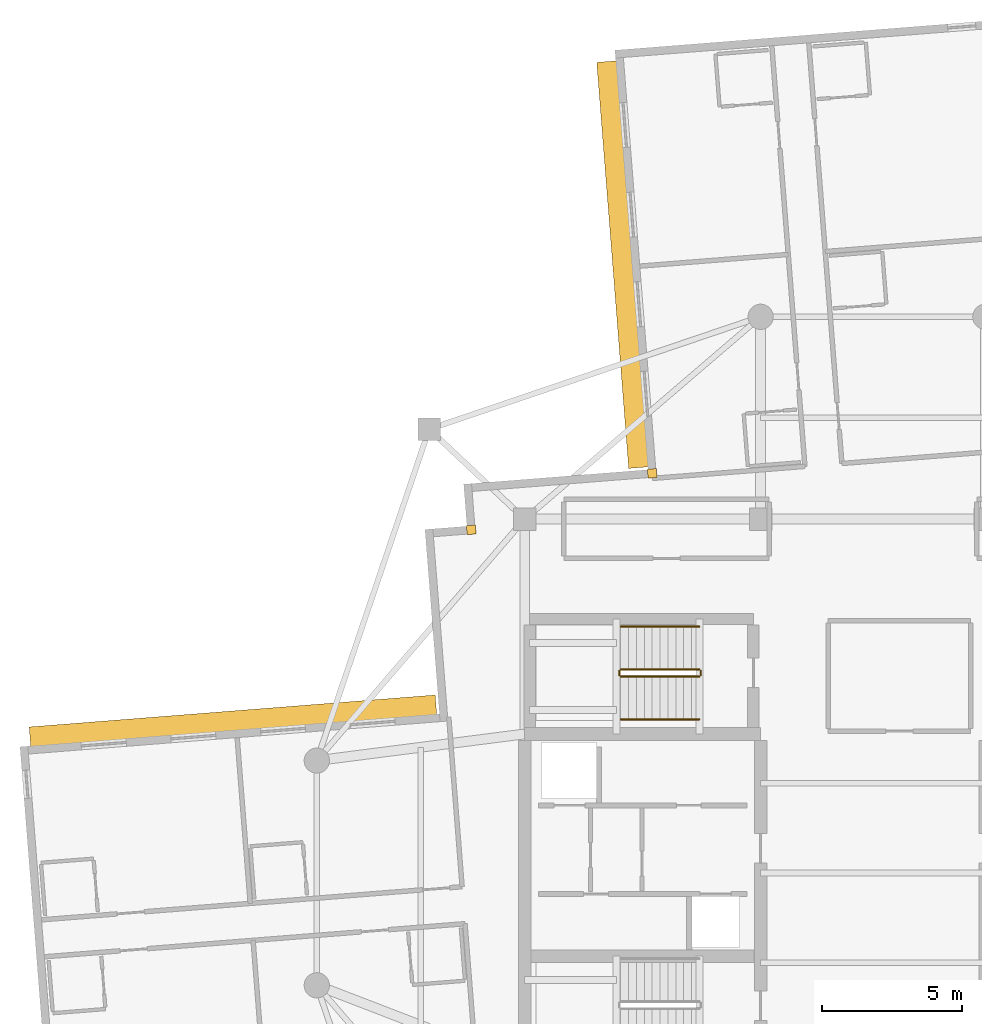
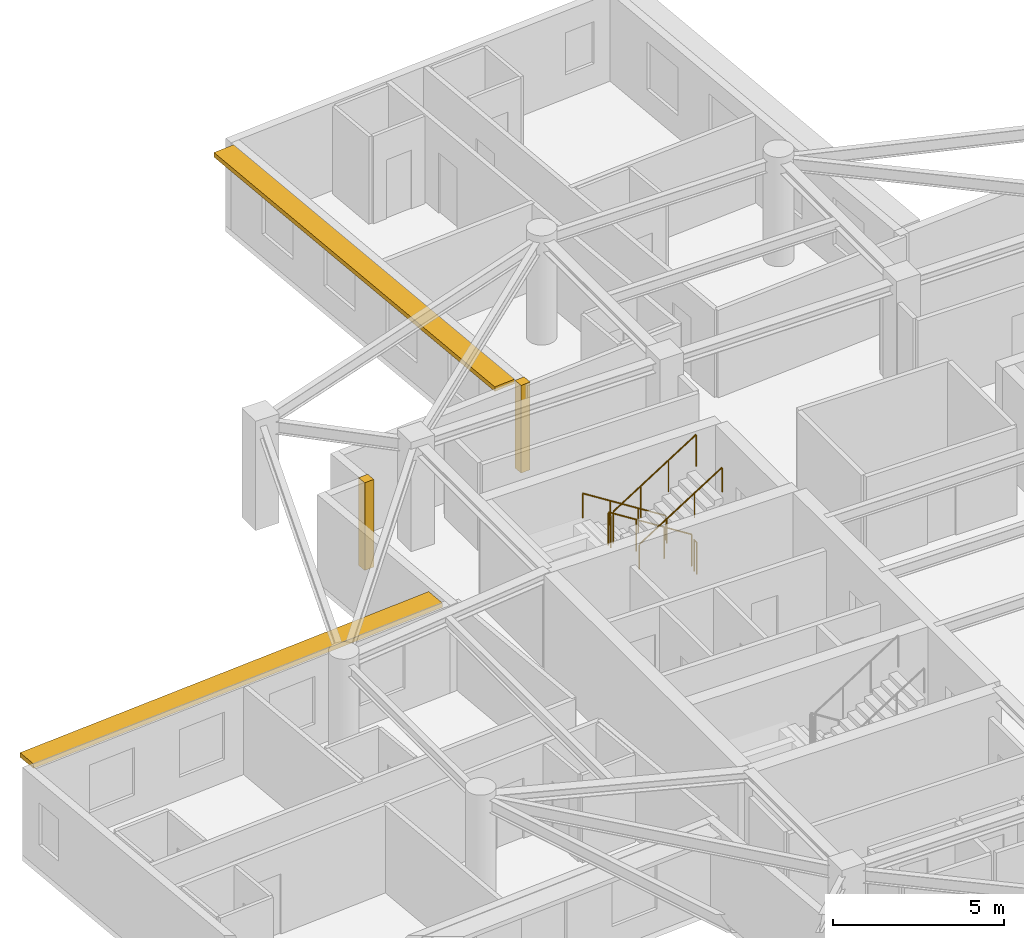
# One storey, part 12 of 13: 6 railings, 2 coverings, 2 shading devices.
"""IFC4 building model written with IfcOpenShell, lengths in metres."""

from ifc_helpers import new_model, si_unit, direction, frame, origin, origin_2d, place, context, subcontext, project, spatial, rectangle, circle, extrude, material, layer, layer_set, type_object, element, save


model = new_model("IFC4")

# Units and contexts
model_context = context("Model", 3, precision=1e-05, world=origin(), true_north=direction((0.0, 1.0)))
body_context = subcontext(model_context, "Body", "Model", "MODEL_VIEW")
ifc_project = project(units=[si_unit("LENGTHUNIT", "METRE"), si_unit("AREAUNIT", "SQUARE_METRE"), si_unit("VOLUMEUNIT", "CUBIC_METRE"), si_unit("PLANEANGLEUNIT", "RADIAN"), si_unit("MASSUNIT", "GRAM", prefix="KILO")], contexts=[model_context])

# Site, building, storey
site_placement = place(None, origin())
site = spatial("IfcSite", under=ifc_project, at=site_placement, CompositionType="ELEMENT")
building_placement = place(site_placement, origin())
building = spatial("IfcBuilding", under=site, at=building_placement, Name="Qingluan Cross Belvedere", CompositionType="ELEMENT")
storey_placement = place(building_placement, frame((0.0, 0.0, 285.0)))
storey = spatial("IfcBuildingStorey", under=building, at=storey_placement, Name="L71", CompositionType="ELEMENT", Elevation=285.0)

# Coverings
ifc_material_1 = material(Name="Precast concrete C45", Category="concrete")
ifc_layer_1 = layer(ifc_material_1, 0.1201171875, Name="ConcreteSpandrelCladding_120")
ifc_layer_set_1 = layer_set([ifc_layer_1], Name="Precast concrete C45")
covering_type = type_object("IfcCoveringType", Name="ConcreteSpandrelCladding_120", PredefinedType="CLADDING", material=ifc_layer_set_1)
for number, where, z_axis, x_axis, name in (
    (1, (-14.302490234375, 12.215576171875, 0.0), (0.0, 0.0, 1.0), (0.996917333733, 0.078459095728, 0.0), "Corner closure L71-NW1"),
    (2, (-7.860595703125, 14.22705078125, 0.0), (0.0, 0.0, 1.0), (0.996917333733, 0.078459095728, 0.0), "Corner closure L71-NW2"),
):
    element("IfcCovering", number, at=place(storey_placement, frame(where, z_axis=z_axis, x_axis=x_axis)), inside=storey, type_object=covering_type, Name=name, PredefinedType="CLADDING", context=body_context, shape_type="SweptSolid", body=[
        extrude(rectangle(XDim=0.320068359375, YDim=0.320068359375, at=origin_2d()), origin(), (0.0, 0.0, 1.0), 3.1298828125),
    ])

# Shading devices
ifc_material_2 = material(Name="Precast concrete C45", Category="concrete")
ifc_layer_2 = layer(ifc_material_2, 0.139892578125, Name="ConcreteSunshadeBand_700")
ifc_layer_set_2 = layer_set([ifc_layer_2], Name="Precast concrete C45")
shading_device_type = type_object("IfcShadingDeviceType", Name="ConcreteSunshadeBand_700", PredefinedType="USERDEFINED", material=ifc_layer_set_2)
for number, where, z_axis, x_axis, name in (
    (3, (-8.916748046875, 21.6572265625, 2.9501953125), (0.0, 0.0, 1.0), (0.078455721862, -0.996917599256, 0.0), "Concrete SUNSHADE L71-NB"),
    (4, (-22.785400390625, 5.4189453125, 2.9501953125), (0.0, 0.0, 1.0), (-0.996917599256, -0.078455721862, 0.0), "Concrete SUNSHADE L71-WA"),
):
    element("IfcShadingDevice", number, at=place(storey_placement, frame(where, z_axis=z_axis, x_axis=x_axis)), inside=storey, type_object=shading_device_type, Name=name, ObjectType="SUNSHADE", PredefinedType="USERDEFINED", context=body_context, shape_type="SweptSolid", body=[
        extrude(rectangle(XDim=14.5, YDim=0.699951171875, at=origin_2d()), origin(), (0.0, 0.0, 1.0), 0.159912109375),
    ])

# Railings
ifc_material_3 = material(Name="Brushed stainless steel tubular handrail", Category="steel")
railing_type_1 = type_object("IfcRailingType", Name="StairPitchHandrail_900", PredefinedType="HANDRAIL", material=ifc_material_3)
railing_1_placement = place(storey_placement, frame((-6.179931640625, 8.77001953125, 0.17724609375)))
element("IfcRailing", 5, at=railing_1_placement, inside=storey, type_object=railing_type_1, Name="L71 ST3 stair handrail 1", PredefinedType="HANDRAIL", context=body_context, shape_type="SweptSolid", body=[
    extrude(circle(Radius=0.02392578125, at=origin_2d()), frame((0.0, 0.0, 0.8759765625), z_axis=(-0.844908973607, 0.0, 0.534910110503), x_axis=(0.0, -1.0, 0.0)), (0.0, 0.0, 1.0), 3.31396484375),
    extrude(circle(Radius=0.02099609375, at=origin_2d()), origin(), (0.0, 0.0, 1.0), 0.851806640625),
    extrude(circle(Radius=0.02099609375, at=origin_2d()), frame((-0.933349609375, 0.0, 0.5908203125)), (0.0, 0.0, 1.0), 0.851806640625),
    extrude(circle(Radius=0.02099609375, at=origin_2d()), frame((-1.86669921875, 0.0, 1.181884765625)), (0.0, 0.0, 1.0), 0.851806640625),
    extrude(circle(Radius=0.02099609375, at=origin_2d()), frame((-2.800048828125, 0.0, 1.772705078125)), (0.0, 0.0, 1.0), 0.851806640625),
])
railing_2_placement = place(storey_placement, frame((-8.97998046875, 5.469970703125, 2.127197265625)))
element("IfcRailing", 6, at=railing_2_placement, inside=storey, type_object=railing_type_1, Name="L71 ST3 stair handrail 2", PredefinedType="HANDRAIL", context=body_context, shape_type="SweptSolid", body=[
    extrude(circle(Radius=0.02392578125, at=origin_2d()), frame((0.0, 0.0, 0.8759765625), z_axis=(0.844908973607, 0.0, 0.534910110503), x_axis=(0.0, 1.0, 0.0)), (0.0, 0.0, 1.0), 3.31396484375),
    extrude(circle(Radius=0.02099609375, at=origin_2d()), origin(), (0.0, 0.0, 1.0), 0.851806640625),
    extrude(circle(Radius=0.02099609375, at=origin_2d()), frame((0.933349609375, 0.0, 0.5908203125)), (0.0, 0.0, 1.0), 0.851806640625),
    extrude(circle(Radius=0.02099609375, at=origin_2d()), frame((1.86669921875, 0.0, 1.181884765625)), (0.0, 0.0, 1.0), 0.851806640625),
    extrude(circle(Radius=0.02099609375, at=origin_2d()), frame((2.800048828125, 0.0, 1.772705078125)), (0.0, 0.0, 1.0), 0.851806640625),
])
ifc_material_4 = material(Name="Painted steel stair well guard", Category="steel")
railing_type_2 = type_object("IfcRailingType", Name="StairWellGuard_1150", PredefinedType="BALUSTRADE", material=ifc_material_4)
railing_3_placement = place(storey_placement, frame((-6.179931640625, 7.25, 0.17724609375)))
element("IfcRailing", 7, at=railing_3_placement, inside=storey, type_object=railing_type_2, Name="L71 ST3 stair guard 1", PredefinedType="BALUSTRADE", context=body_context, shape_type="SweptSolid", body=[
    extrude(circle(Radius=0.02392578125, at=origin_2d()), frame((0.0, 0.0, 1.1259765625), z_axis=(-0.844908973607, 0.0, 0.534910110503), x_axis=(0.0, -1.0, 0.0)), (0.0, 0.0, 1.0), 3.31396484375),
    extrude(circle(Radius=0.02099609375, at=origin_2d()), origin(), (0.0, 0.0, 1.0), 1.101806640625),
    extrude(circle(Radius=0.02099609375, at=origin_2d()), frame((-0.933349609375, 0.0, 0.5908203125)), (0.0, 0.0, 1.0), 1.101806640625),
    extrude(circle(Radius=0.02099609375, at=origin_2d()), frame((-1.86669921875, 0.0, 1.181884765625)), (0.0, 0.0, 1.0), 1.101806640625),
    extrude(circle(Radius=0.02099609375, at=origin_2d()), frame((-2.800048828125, 0.0, 1.772705078125)), (0.0, 0.0, 1.0), 1.101806640625),
])
railing_4_placement = place(storey_placement, frame((-9.030029296875, 7.199951171875, 1.949951171875)))
element("IfcRailing", 8, at=railing_4_placement, inside=storey, type_object=railing_type_2, Name="L71 ST3 stair guard 2", PredefinedType="BALUSTRADE", context=body_context, shape_type="SweptSolid", body=[
    extrude(circle(Radius=0.02392578125, at=origin_2d()), frame((0.0, 0.0, 1.1259765625), z_axis=(0.0, -1.0, 0.0), x_axis=(1.0, 0.0, 0.0)), (0.0, 0.0, 1.0), 0.159912109375),
    extrude(circle(Radius=0.02099609375, at=origin_2d()), origin(), (0.0, 0.0, 1.0), 1.101806640625),
    extrude(circle(Radius=0.02099609375, at=origin_2d()), frame((0.0, -0.159912109375, 0.0)), (0.0, 0.0, 1.0), 1.101806640625),
])
railing_5_placement = place(storey_placement, frame((-8.97998046875, 6.989990234375, 2.127197265625)))
element("IfcRailing", 9, at=railing_5_placement, inside=storey, type_object=railing_type_2, Name="L71 ST3 stair guard 3", PredefinedType="BALUSTRADE", context=body_context, shape_type="SweptSolid", body=[
    extrude(circle(Radius=0.02392578125, at=origin_2d()), frame((0.0, 0.0, 1.1259765625), z_axis=(0.844908973607, 0.0, 0.534910110503), x_axis=(0.0, 1.0, 0.0)), (0.0, 0.0, 1.0), 3.31396484375),
    extrude(circle(Radius=0.02099609375, at=origin_2d()), origin(), (0.0, 0.0, 1.0), 1.101806640625),
    extrude(circle(Radius=0.02099609375, at=origin_2d()), frame((0.933349609375, 0.0, 0.5908203125)), (0.0, 0.0, 1.0), 1.101806640625),
    extrude(circle(Radius=0.02099609375, at=origin_2d()), frame((1.86669921875, 0.0, 1.181884765625)), (0.0, 0.0, 1.0), 1.101806640625),
    extrude(circle(Radius=0.02099609375, at=origin_2d()), frame((2.800048828125, 0.0, 1.772705078125)), (0.0, 0.0, 1.0), 1.101806640625),
])
railing_6_placement = place(storey_placement, frame((-6.1298828125, 7.199951171875, 0.0)))
element("IfcRailing", 10, at=railing_6_placement, inside=storey, type_object=railing_type_2, Name="L71 ST3 stair guard 4", PredefinedType="BALUSTRADE", context=body_context, shape_type="SweptSolid", body=[
    extrude(circle(Radius=0.02392578125, at=origin_2d()), frame((0.0, 0.0, 1.1259765625), z_axis=(0.0, -1.0, 0.0), x_axis=(1.0, 0.0, 0.0)), (0.0, 0.0, 1.0), 0.159912109375),
    extrude(circle(Radius=0.02099609375, at=origin_2d()), origin(), (0.0, 0.0, 1.0), 1.101806640625),
    extrude(circle(Radius=0.02099609375, at=origin_2d()), frame((0.0, -0.159912109375, 0.0)), (0.0, 0.0, 1.0), 1.101806640625),
])

save(model, "model.ifc")
